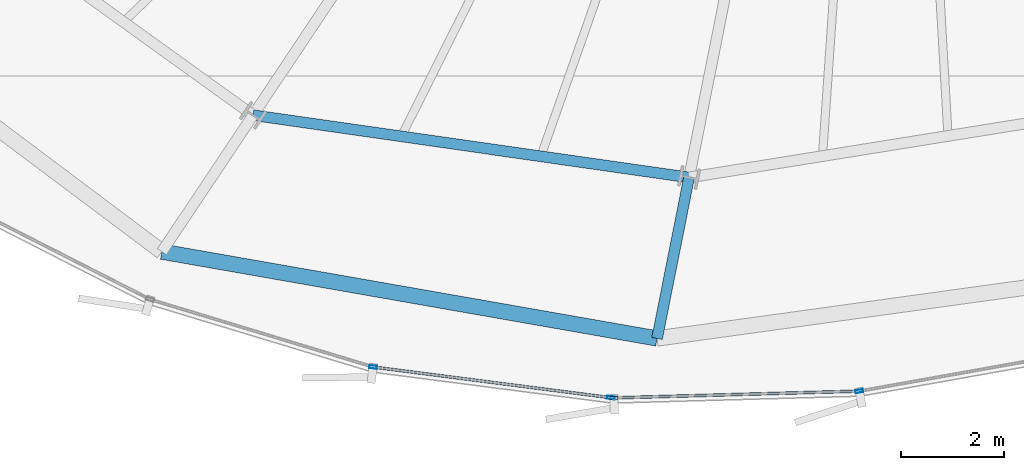
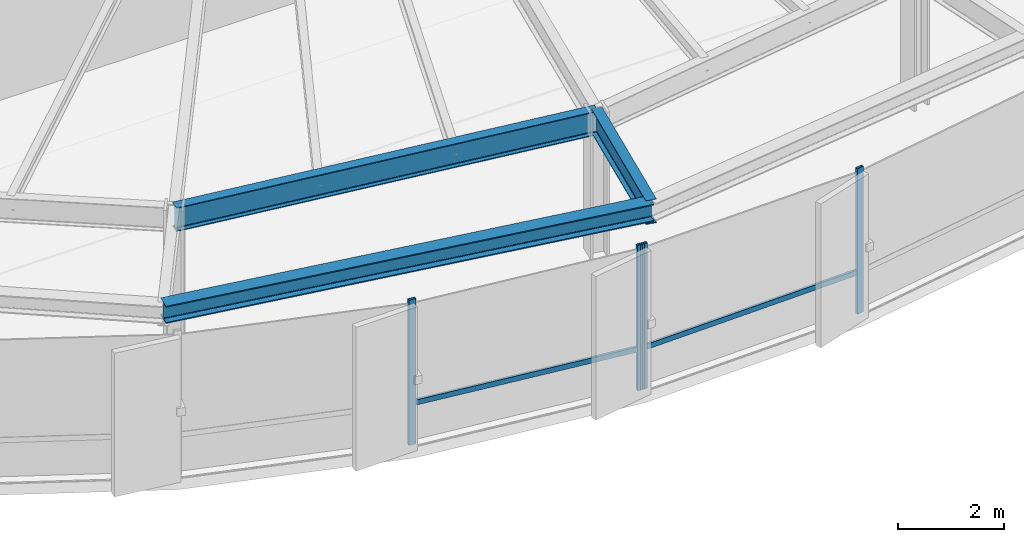
# One storey, part 5 of 34: 6 members, 3 beams, 2 elements without a shape of their own.
"""IFC4 building model written with IfcOpenShell, lengths in metres."""

from ifc_helpers import new_model, si_unit, direction, frame, origin, origin_2d, place, context, subcontext, project, spatial, hollow_rectangle, i_section, extrude, source, transform, mapped, material, layer, layer_set, material_profile, profile_set, type_object, element, aggregate, save


model = new_model("IFC4")

# Units and contexts
model_context = context("Model", 3, precision=1e-05, world=origin(), true_north=direction((0.0, 1.0)))
body_context = subcontext(model_context, "Body", "Model", "MODEL_VIEW")
ifc_project = project(units=[si_unit("LENGTHUNIT", "METRE"), si_unit("AREAUNIT", "SQUARE_METRE"), si_unit("VOLUMEUNIT", "CUBIC_METRE"), si_unit("PLANEANGLEUNIT", "RADIAN"), si_unit("MASSUNIT", "GRAM", prefix="KILO"), si_unit("THERMODYNAMICTEMPERATUREUNIT", "KELVIN")], contexts=[model_context])

# Site, building, storey
site_placement = place(None, origin())
site = spatial("IfcSite", under=ifc_project, at=site_placement, CompositionType="ELEMENT")
building_placement = place(site_placement, origin())
building = spatial("IfcBuilding", under=site, at=building_placement, Name="Kethvar Cultural Tower", CompositionType="ELEMENT")
storey_placement = place(building_placement, frame((0.0, 0.0, 125.199951171875)))
storey = spatial("IfcBuildingStorey", under=building, at=storey_placement, Name="L31", CompositionType="ELEMENT", Elevation=125.199951171875)

# Beams
ifc_material_1 = material(Name="Steel S355J2", Category="steel")
ifc_material_profile_1 = material_profile(ifc_material_1, i_section(OverallWidth=0.2099609375, OverallDepth=0.550048828125, WebThickness=0.010986328125, FlangeThickness=0.01708984375, FilletRadius=0.02392578125, at=origin_2d()), Name="Steel S355J2 — IPE550")
ifc_profile_set_1 = profile_set([ifc_material_profile_1], Name="Steel S355J2 — IPE550")
beam_type_1 = type_object("IfcBeamType", Name="BM-IPE550", PredefinedType="BEAM", material=ifc_profile_set_1)
shared_shape_1 = source(origin(), body_context, "Body", "SweptSolid", [
    extrude(i_section(OverallWidth=0.2099609375, OverallDepth=0.550048828125, WebThickness=0.010986328125, FlangeThickness=0.01708984375, FilletRadius=0.02392578125, at=origin_2d()), origin(), (0.0, 0.0, 1.0), 3.2001953125),
])
beam_1_placement = place(storey_placement, frame((42.852294921875, 7.95361328125, 3.072998046875), z_axis=(-0.195074368086, -0.980788453702, 0.0), x_axis=(0.980788453702, -0.195074368086, 0.0)))
element("IfcBeam", 1, at=beam_1_placement, inside=storey, type_object=beam_type_1, Name="L31 Perimeter Cantilever Beam RC-12", PredefinedType="BEAM", context=body_context, shape_type="MappedRepresentation", body=[
    mapped(shared_shape_1, transform((0.0, 0.0, 0.0), scale=1.0)),
])
shared_shape_2 = source(origin(), body_context, "Body", "SweptSolid", [
    extrude(i_section(OverallWidth=0.2099609375, OverallDepth=0.550048828125, WebThickness=0.010986328125, FlangeThickness=0.01708984375, FilletRadius=0.02392578125, at=origin_2d()), origin(), (0.0, 0.0, 1.0), 8.587890625),
])
beam_2_placement = place(storey_placement, frame((34.350830078125, 9.16845703125, 3.072998046875), z_axis=(0.989943807123, -0.141461156288, 0.0), x_axis=(0.141461156288, 0.989943807123, 0.0)))
element("IfcBeam", 2, at=beam_2_placement, inside=storey, type_object=beam_type_1, Name="L31 Column Ring Tie Beam CR-11", PredefinedType="BEAM", context=body_context, shape_type="MappedRepresentation", body=[
    mapped(shared_shape_2, transform((0.0, 0.0, 0.0), scale=1.0)),
])
ifc_material_profile_2 = material_profile(ifc_material_1, i_section(OverallWidth=0.300048828125, OverallDepth=0.39990234375, WebThickness=0.013427734375, FlangeThickness=0.02392578125, FilletRadius=0.027099609375, at=origin_2d()), Name="Steel S355J2 — HEB400")
ifc_profile_set_2 = profile_set([ifc_material_profile_2], Name="Steel S355J2 — HEB400")
beam_type_2 = type_object("IfcBeamType", Name="BM-SP400", PredefinedType="SPANDREL", material=ifc_profile_set_2)
shared_shape_3 = source(origin(), body_context, "Body", "SweptSolid", [
    extrude(i_section(OverallWidth=0.300048828125, OverallDepth=0.39990234375, WebThickness=0.013427734375, FlangeThickness=0.02392578125, FilletRadius=0.027099609375, at=origin_2d()), origin(), (0.0, 0.0, 1.0), 9.80224609375),
])
beam_3_placement = place(storey_placement, frame((32.572998046875, 6.5078125, 3.14794921875), z_axis=(0.984974273513, -0.172701130618, 0.0), x_axis=(0.172701130618, 0.984974273513, 0.0)))
element("IfcBeam", 3, at=beam_3_placement, inside=storey, type_object=beam_type_2, Name="L31 Perimeter Spandrel Beam SP-11", PredefinedType="SPANDREL", context=body_context, shape_type="MappedRepresentation", body=[
    mapped(shared_shape_3, transform((0.0, 0.0, 0.0), scale=1.0)),
])

# Curtain wall, members
ifc_material_2 = material(Name="Aluminium 6063-T6", Category="aluminium")
ifc_layer = layer(ifc_material_2, 0.179931640625, Name="Aluminium 6063-T6", Category="aluminium")
ifc_layer_set = layer_set([ifc_layer], Name="Aluminium 6063-T6 (180 mm)")
curtain_wall_type = type_object("IfcCurtainWallType", Name="CW-SYS-03-Z2", PredefinedType="NOTDEFINED", material=ifc_layer_set)
curtain_wall_1_placement = place(storey_placement, origin())
curtain_wall_1 = element("IfcCurtainWall", 4, at=curtain_wall_1_placement, inside=storey, type_object=curtain_wall_type, Name="L31 Curtain Wall Run 04", PredefinedType="NOTDEFINED")
ifc_material_profile_3 = material_profile(ifc_material_2, hollow_rectangle(XDim=0.06005859375, YDim=0.14990234375, WallThickness=0.0048828125, at=origin_2d()), Name="Aluminium 6063-T6 — RHS150x60x5")
ifc_profile_set_3 = profile_set([ifc_material_profile_3], Name="Aluminium 6063-T6 — RHS150x60x5")
member_type_1 = type_object("IfcMemberType", Name="CW-SYS-03-Z2-MUL", PredefinedType="MULLION", material=ifc_profile_set_3)
shared_shape_4 = source(origin(), body_context, "Body", "SweptSolid", [
    extrude(hollow_rectangle(XDim=0.06005859375, YDim=0.14990234375, WallThickness=0.0048828125, at=origin_2d()), origin(), (0.0, 0.0, 1.0), 3.35009765625),
])
member_1_placement = place(storey_placement, frame((36.691650390625, 4.258056640625, 0.0), z_axis=(0.0, 0.0, 1.0), x_axis=(0.128034009892, 0.991769777877, 0.0)))
member_1 = element("IfcMember", 5, at=member_1_placement, type_object=member_type_1, Name="CW-L31-R04 Mullion 6", PredefinedType="MULLION", context=body_context, shape_type="MappedRepresentation", body=[
    mapped(shared_shape_4, transform((0.0, 0.0, 0.0), scale=1.0)),
])
member_2_placement = place(storey_placement, frame((41.328369140625, 3.6591796875, 0.0), z_axis=(0.0, 0.0, 1.0), x_axis=(0.128034009892, 0.991769777877, 0.0)))
member_2 = element("IfcMember", 6, at=member_2_placement, type_object=member_type_1, Name="CW-L31-R04 Mullion 7", PredefinedType="MULLION", context=body_context, shape_type="MappedRepresentation", body=[
    mapped(shared_shape_4, transform((0.0, 0.0, 0.0), scale=1.0)),
])

curtain_wall_2_placement = place(storey_placement, origin())
curtain_wall_2 = element("IfcCurtainWall", 7, at=curtain_wall_2_placement, inside=storey, type_object=curtain_wall_type, Name="L31 Curtain Wall Run 05", PredefinedType="NOTDEFINED")
member_3_placement = place(storey_placement, frame((41.38818359375, 3.65625, 0.0), z_axis=(0.0, 0.0, 1.0), x_axis=(-0.027572707275, 0.999619800631, 0.0)))
member_3 = element("IfcMember", 8, at=member_3_placement, type_object=member_type_1, Name="CW-L31-R05 Mullion 1", PredefinedType="MULLION", context=body_context, shape_type="MappedRepresentation", body=[
    mapped(shared_shape_4, transform((0.0, 0.0, 0.0), scale=1.0)),
])
member_4_placement = place(storey_placement, frame((46.173095703125, 3.787109375, 0.0), z_axis=(0.0, 0.0, 1.0), x_axis=(-0.175572916108, 0.984466429661, 0.0)))
member_4 = element("IfcMember", 9, at=member_4_placement, type_object=member_type_1, Name="CW-L31-R05 Mullion 2", PredefinedType="MULLION", context=body_context, shape_type="MappedRepresentation", body=[
    mapped(shared_shape_4, transform((0.0, 0.0, 0.0), scale=1.0)),
])

# Member
ifc_material_profile_4 = material_profile(ifc_material_2, hollow_rectangle(XDim=0.054931640625, YDim=0.1201171875, WallThickness=0.00390625, at=origin_2d()), Name="Aluminium 6063-T6 — RHS120x55x4")
ifc_profile_set_4 = profile_set([ifc_material_profile_4], Name="Aluminium 6063-T6 — RHS120x55x4")
member_type_2 = type_object("IfcMemberType", Name="CW-SYS-03-Z2-TRN", PredefinedType="USERDEFINED", material=ifc_profile_set_4)
shared_shape_5 = source(origin(), body_context, "Body", "SweptSolid", [
    extrude(hollow_rectangle(XDim=0.054931640625, YDim=0.1201171875, WallThickness=0.00390625, at=origin_2d()), origin(), (0.0, 0.0, 1.0), 4.627685546875),
])
member_5_placement = place(storey_placement, frame((36.734619140625, 4.25244140625, 0.949951171875), z_axis=(0.991769008515, -0.128039969342, 0.0), x_axis=(0.128039969342, 0.991769008515, 0.0)))
member_5 = element("IfcMember", 10, at=member_5_placement, type_object=member_type_2, Name="CW-L31-R04 Transom 6", ObjectType="TRANSOM", PredefinedType="USERDEFINED", context=body_context, shape_type="MappedRepresentation", body=[
    mapped(shared_shape_5, transform((0.0, 0.0, 0.0), scale=1.0)),
])

aggregate(curtain_wall_1, [member_1, member_2, member_5])

shared_shape_6 = source(origin(), body_context, "Body", "SweptSolid", [
    extrude(hollow_rectangle(XDim=0.054931640625, YDim=0.1201171875, WallThickness=0.00390625, at=origin_2d()), origin(), (0.0, 0.0, 1.0), 4.756103515625),
])
member_6_placement = place(storey_placement, frame((41.392333984375, 3.656494140625, 0.949951171875), z_axis=(0.999620020073, 0.027564750476, 0.0), x_axis=(-0.027564750476, 0.999620020073, 0.0)))
member_6 = element("IfcMember", 11, at=member_6_placement, type_object=member_type_2, Name="CW-L31-R05 Transom 1", ObjectType="TRANSOM", PredefinedType="USERDEFINED", context=body_context, shape_type="MappedRepresentation", body=[
    mapped(shared_shape_6, transform((0.0, 0.0, 0.0), scale=1.0)),
])

aggregate(curtain_wall_2, [member_3, member_4, member_6])

save(model, "model.ifc")
